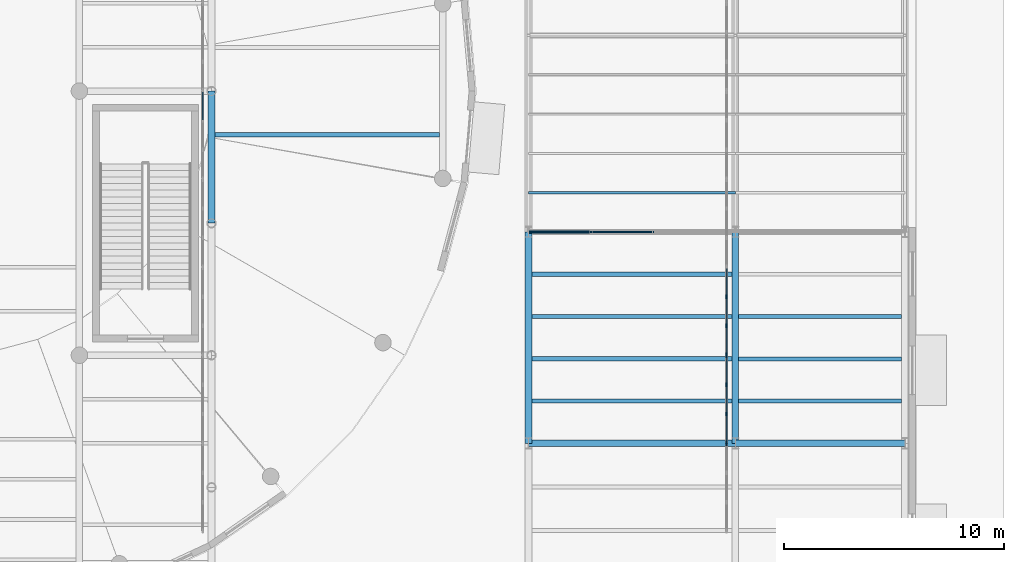
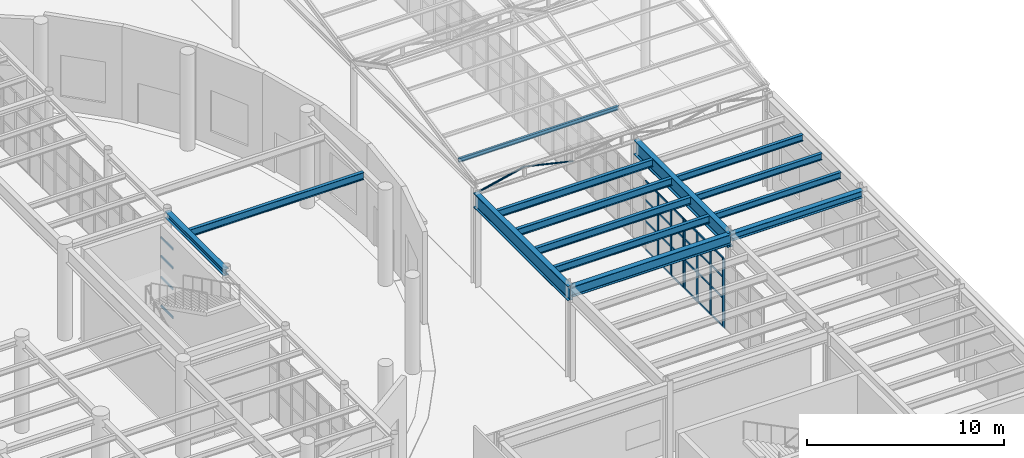
# One storey, part 38 of 118: 39 members, 13 beams, 4 elements without a shape of their own.
"""IFC4 building model written with IfcOpenShell, lengths in metres."""

from ifc_helpers import new_model, si_unit, direction, frame, origin, origin_2d, place, context, subcontext, project, spatial, rectangle, hollow_circle, i_section, extrude, material, material_profile, profile_set, type_object, element, aggregate, save


model = new_model("IFC4")

# Units and contexts
model_context = context("Model", 3, precision=1e-05, world=origin(), true_north=direction((0.0, 1.0)))
body_context = subcontext(model_context, "Body", "Model", "MODEL_VIEW")
ifc_project = project(units=[si_unit("LENGTHUNIT", "METRE"), si_unit("AREAUNIT", "SQUARE_METRE"), si_unit("VOLUMEUNIT", "CUBIC_METRE"), si_unit("PLANEANGLEUNIT", "RADIAN"), si_unit("MASSUNIT", "GRAM", prefix="KILO")], contexts=[model_context])

# Site, building, storey
site_placement = place(None, origin())
site = spatial("IfcSite", under=ifc_project, at=site_placement, CompositionType="ELEMENT")
building_placement = place(site_placement, origin())
building = spatial("IfcBuilding", under=site, at=building_placement, Name="Kolvaren Corner Interchange", CompositionType="ELEMENT")
storey_placement = place(building_placement, origin())
storey = spatial("IfcBuildingStorey", under=building, at=storey_placement, Name="L01", CompositionType="ELEMENT", Elevation=0.0)

# Beams
ifc_material_1 = material(Name="Steel S355", Category="steel")
ifc_material_profile_1 = material_profile(ifc_material_1, i_section(OverallWidth=0.300048828125, OverallDepth=0.389892578125, WebThickness=0.010986328125, FlangeThickness=0.01904296875, FilletRadius=0.027099609375, at=origin_2d()), Name="HEA 400")
ifc_profile_set_1 = profile_set([ifc_material_profile_1], Name="Steel S355")
beam_type_1 = type_object("IfcBeamType", Name="BM-HEA400", PredefinedType="BEAM", material=ifc_profile_set_1)
beam_1_placement = place(storey_placement, frame((132.0, 42.0, 5.554931640625), z_axis=(0.0, 1.0, 0.0), x_axis=(-1.0, 0.0, 0.0)))
element("IfcBeam", 1, at=beam_1_placement, inside=storey, type_object=beam_type_1, Name="Storey L01 Grid Y Primary Girder 0372", PredefinedType="BEAM", context=body_context, shape_type="SweptSolid", body=[
    extrude(i_section(OverallWidth=0.300048828125, OverallDepth=0.389892578125, WebThickness=0.010986328125, FlangeThickness=0.01904296875, FilletRadius=0.027099609375, at=origin_2d()), origin(), (0.0, 0.0, 1.0), 6.0),
])
ifc_material_2 = material(Name="Steel S355", Category="steel")
ifc_material_profile_2 = material_profile(ifc_material_2, i_section(OverallWidth=0.300048828125, OverallDepth=0.43994140625, WebThickness=0.011474609375, FlangeThickness=0.02099609375, FilletRadius=0.027099609375, at=origin_2d()), Name="HEA 450")
ifc_profile_set_2 = profile_set([ifc_material_profile_2], Name="Steel S355")
beam_type_2 = type_object("IfcBeamType", Name="BM-HEA450", PredefinedType="BEAM", material=ifc_profile_set_2)
beam_2_placement = place(storey_placement, frame((155.800048828125, 32.0, 5.52001953125), z_axis=(1.0, 0.0, 0.0), x_axis=(0.0, 1.0, 0.0)))
element("IfcBeam", 2, at=beam_2_placement, inside=storey, type_object=beam_type_2, Name="Storey L01 Grid X Primary Girder 0396", PredefinedType="BEAM", context=body_context, shape_type="SweptSolid", body=[
    extrude(i_section(OverallWidth=0.300048828125, OverallDepth=0.43994140625, WebThickness=0.011474609375, FlangeThickness=0.02099609375, FilletRadius=0.027099609375, at=origin_2d()), origin(), (0.0, 0.0, 1.0), 7.699951171875),
])
ifc_material_3 = material(Name="Steel S355", Category="steel")
ifc_material_profile_3 = material_profile(ifc_material_3, i_section(OverallWidth=0.300048828125, OverallDepth=0.639892578125, WebThickness=0.013427734375, FlangeThickness=0.02587890625, FilletRadius=0.027099609375, at=origin_2d()), Name="HEA 650")
ifc_profile_set_3 = profile_set([ifc_material_profile_3], Name="Steel S355")
beam_type_3 = type_object("IfcBeamType", Name="BM-HEA650", PredefinedType="BEAM", material=ifc_profile_set_3)
beam_3_placement = place(storey_placement, frame((146.39990234375, 32.0, 5.419921875), z_axis=(1.0, 0.0, 0.0), x_axis=(0.0, 1.0, 0.0)))
element("IfcBeam", 3, at=beam_3_placement, inside=storey, type_object=beam_type_3, Name="Storey L01 Grid X Primary Girder 0395", PredefinedType="BEAM", context=body_context, shape_type="SweptSolid", body=[
    extrude(i_section(OverallWidth=0.300048828125, OverallDepth=0.639892578125, WebThickness=0.013427734375, FlangeThickness=0.02587890625, FilletRadius=0.027099609375, at=origin_2d()), origin(), (0.0, 0.0, 1.0), 9.400146484375),
])
ifc_material_4 = material(Name="Steel S355", Category="steel")
ifc_material_profile_4 = material_profile(ifc_material_4, i_section(OverallWidth=0.300048828125, OverallDepth=0.89990234375, WebThickness=0.0185546875, FlangeThickness=0.034912109375, FilletRadius=0.030029296875, at=origin_2d()), Name="HEB 900")
ifc_profile_set_4 = profile_set([ifc_material_profile_4], Name="Steel S355")
beam_type_4 = type_object("IfcBeamType", Name="BM-HEB900", PredefinedType="BEAM", material=ifc_profile_set_4)
for number, where, z_axis, x_axis, name in (
    (4, (146.39990234375, 32.0, 5.2900390625), (0.0, 1.0, 0.0), (-1.0, 0.0, 0.0), "Storey L01 Grid Y Primary Girder 0530"),
    (5, (155.800048828125, 32.0, 5.2900390625), (0.0, 1.0, 0.0), (-1.0, 0.0, 0.0), "Storey L01 Grid Y Primary Girder 0533"),
):
    element("IfcBeam", number, at=place(storey_placement, frame(where, z_axis=z_axis, x_axis=x_axis)), inside=storey, type_object=beam_type_4, Name=name, PredefinedType="BEAM", context=body_context, shape_type="SweptSolid", body=[
        extrude(i_section(OverallWidth=0.300048828125, OverallDepth=0.89990234375, WebThickness=0.0185546875, FlangeThickness=0.034912109375, FilletRadius=0.030029296875, at=origin_2d()), origin(), (0.0, 0.0, 1.0), 9.60009765625),
    ])
ifc_material_5 = material(Name="Steel S355", Category="steel")
ifc_material_profile_5 = material_profile(ifc_material_5, i_section(OverallWidth=0.179931640625, OverallDepth=0.39990234375, WebThickness=0.008544921875, FlangeThickness=0.013427734375, FilletRadius=0.02099609375, at=origin_2d()), Name="IPE 400")
ifc_profile_set_5 = profile_set([ifc_material_profile_5], Name="Steel S355")
beam_type_5 = type_object("IfcBeamType", Name="JS-IPE400", PredefinedType="JOIST", material=ifc_profile_set_5)
for number, where, z_axis, x_axis, name in (
    (6, (155.949951171875, 33.919921875, 5.5400390625), (1.0, 0.0, 0.0), (0.0, 1.0, 0.0), "Storey L01 Composite Floor Joist 0527"),
    (7, (155.949951171875, 35.840087890625, 5.5400390625), (1.0, 0.0, 0.0), (0.0, 1.0, 0.0), "Storey L01 Composite Floor Joist 0528"),
    (8, (155.949951171875, 37.760009765625, 5.5400390625), (1.0, 0.0, 0.0), (0.0, 1.0, 0.0), "Storey L01 Composite Floor Joist 0529"),
):
    element("IfcBeam", number, at=place(storey_placement, frame(where, z_axis=z_axis, x_axis=x_axis)), inside=storey, type_object=beam_type_5, Name=name, PredefinedType="JOIST", context=body_context, shape_type="SweptSolid", body=[
        extrude(i_section(OverallWidth=0.179931640625, OverallDepth=0.39990234375, WebThickness=0.008544921875, FlangeThickness=0.013427734375, FilletRadius=0.02099609375, at=origin_2d()), origin(), (0.0, 0.0, 1.0), 7.400146484375),
    ])
ifc_material_6 = material(Name="Steel S355", Category="steel")
ifc_material_profile_6 = material_profile(ifc_material_6, i_section(OverallWidth=0.18994140625, OverallDepth=0.449951171875, WebThickness=0.009521484375, FlangeThickness=0.0146484375, FilletRadius=0.02099609375, at=origin_2d()), Name="IPE 450")
ifc_profile_set_6 = profile_set([ifc_material_profile_6], Name="Steel S355")
beam_type_6 = type_object("IfcBeamType", Name="JS-IPE450", PredefinedType="JOIST", material=ifc_profile_set_6)
beam_4_placement = place(storey_placement, frame((132.14990234375, 46.01611328125, 5.52490234375), z_axis=(1.0, 0.0, 0.0), x_axis=(0.0, 1.0, 0.0)))
element("IfcBeam", 9, at=beam_4_placement, inside=storey, type_object=beam_type_6, Name="Storey L01 Composite Floor Joist 0386", PredefinedType="JOIST", context=body_context, shape_type="SweptSolid", body=[
    extrude(i_section(OverallWidth=0.18994140625, OverallDepth=0.449951171875, WebThickness=0.009521484375, FlangeThickness=0.0146484375, FilletRadius=0.02099609375, at=origin_2d()), origin(), (0.0, 0.0, 1.0), 10.203125),
])
for number, where, z_axis, x_axis, name in (
    (10, (146.550048828125, 33.919921875, 5.514892578125), (1.0, 0.0, 0.0), (0.0, 1.0, 0.0), "Storey L01 Composite Floor Joist 0515"),
    (11, (146.550048828125, 35.840087890625, 5.514892578125), (1.0, 0.0, 0.0), (0.0, 1.0, 0.0), "Storey L01 Composite Floor Joist 0516"),
    (12, (146.550048828125, 37.760009765625, 5.514892578125), (1.0, 0.0, 0.0), (0.0, 1.0, 0.0), "Storey L01 Composite Floor Joist 0517"),
    (13, (146.550048828125, 39.679931640625, 5.514892578125), (1.0, 0.0, 0.0), (0.0, 1.0, 0.0), "Storey L01 Composite Floor Joist 0518"),
):
    element("IfcBeam", number, at=place(storey_placement, frame(where, z_axis=z_axis, x_axis=x_axis)), inside=storey, type_object=beam_type_6, Name=name, PredefinedType="JOIST", context=body_context, shape_type="SweptSolid", body=[
        extrude(i_section(OverallWidth=0.18994140625, OverallDepth=0.449951171875, WebThickness=0.009521484375, FlangeThickness=0.0146484375, FilletRadius=0.02099609375, at=origin_2d()), origin(), (0.0, 0.0, 1.0), 9.099853515625),
    ])

# Members
ifc_material_7 = material(Name="Steel S355", Category="steel")
ifc_material_profile_7 = material_profile(ifc_material_7, hollow_circle(Radius=0.05712890625, WallThickness=0.00634765625, at=origin_2d()), Name="CHS 114.3x6.3")
ifc_profile_set_7 = profile_set([ifc_material_profile_7], Name="Steel S355")
member_type_1 = type_object("IfcMemberType", Name="MEM-BR-CHS114", PredefinedType="BRACE", material=ifc_profile_set_7)
member_1_placement = place(storey_placement, frame((146.39990234375, 41.60009765625, 5.64990234375), z_axis=(0.973451058965, 0.0, 0.228895250716), x_axis=(0.0, 1.0, 0.0)))
element("IfcMember", 14, at=member_1_placement, inside=storey, type_object=member_type_1, Name="Bus Canopy Sawtooth Roof Truss 01 Web Diagonal 01", PredefinedType="BRACE", context=body_context, shape_type="SweptSolid", body=[
    extrude(hollow_circle(Radius=0.05712890625, WallThickness=0.00634765625, at=origin_2d()), origin(), (0.0, 0.0, 1.0), 2.927734375),
])
ifc_material_8 = material(Name="Steel S355", Category="steel")
ifc_material_profile_8 = material_profile(ifc_material_8, hollow_circle(Radius=0.04443359375, WallThickness=0.0048828125, at=origin_2d()), Name="CHS 88.9x5.0")
ifc_profile_set_8 = profile_set([ifc_material_profile_8], Name="Steel S355")
member_type_2 = type_object("IfcMemberType", Name="MEM-BR-CHS89", PredefinedType="BRACE", material=ifc_profile_set_8)
member_2_placement = place(storey_placement, frame((149.25, 41.60009765625, 6.320068359375), z_axis=(0.973451058965, 0.0, -0.228895250716), x_axis=(0.0, 1.0, 0.0)))
element("IfcMember", 15, at=member_2_placement, inside=storey, type_object=member_type_2, Name="Bus Canopy Sawtooth Roof Truss 01 Web Diagonal 02", PredefinedType="BRACE", context=body_context, shape_type="SweptSolid", body=[
    extrude(hollow_circle(Radius=0.04443359375, WallThickness=0.0048828125, at=origin_2d()), origin(), (0.0, 0.0, 1.0), 2.927734375),
])
ifc_material_9 = material(Name="Steel S355", Category="steel")
ifc_material_profile_9 = material_profile(ifc_material_9, i_section(OverallWidth=0.1201171875, OverallDepth=0.239990234375, WebThickness=0.006103515625, FlangeThickness=0.009765625, FilletRadius=0.014892578125, at=origin_2d()), Name="IPE 240")
ifc_profile_set_9 = profile_set([ifc_material_profile_9], Name="Steel S355")
member_type_3 = type_object("IfcMemberType", Name="MEM-PR-IPE240", PredefinedType="PURLIN", material=ifc_profile_set_9)
member_3_placement = place(storey_placement, frame((146.39990234375, 43.385498046875, 6.6201171875), z_axis=(1.0, 0.0, 0.0), x_axis=(0.0, 1.0, 0.0)))
element("IfcMember", 16, at=member_3_placement, inside=storey, type_object=member_type_3, Name="Bus Canopy Sawtooth Purlin 01 Row 1 Bay 146", PredefinedType="PURLIN", context=body_context, shape_type="SweptSolid", body=[
    extrude(i_section(OverallWidth=0.1201171875, OverallDepth=0.239990234375, WebThickness=0.006103515625, FlangeThickness=0.009765625, FilletRadius=0.014892578125, at=origin_2d()), origin(), (0.0, 0.0, 1.0), 9.400146484375),
])

# Curtain wall, member
ifc_material_10 = material(Name="Unitised Aluminium and Solar-Control Glass Curtain Wall", Category="aluminium")
curtain_wall_type = type_object("IfcCurtainWallType", Name="CW-V4-BOARD", PredefinedType="NOTDEFINED", material=ifc_material_10)
curtain_wall_1_placement = place(storey_placement, origin())
curtain_wall_1 = element("IfcCurtainWall", 17, at=curtain_wall_1_placement, inside=storey, type_object=curtain_wall_type, Name="Bus Island East Boarding Curtain Wall Bay 01", PredefinedType="NOTDEFINED")
ifc_material_11 = material(Name="Anodised Aluminium Framing", Category="aluminium")
ifc_material_profile_10 = material_profile(ifc_material_11, rectangle(XDim=0.06005859375, YDim=0.179931640625, at=origin_2d()), Name="ALU 60x180")
ifc_profile_set_10 = profile_set([ifc_material_profile_10], Name="Anodised Aluminium Framing")
member_type_4 = type_object("IfcMemberType", Name="MUL-ALU60x180", PredefinedType="MULLION", material=ifc_profile_set_10)
member_4_placement = place(storey_placement, frame((155.39990234375, 31.969970703125, 0.0), z_axis=(0.0, 0.0, 1.0), x_axis=(-1.0, 0.0, 0.0)))
member_4 = element("IfcMember", 18, at=member_4_placement, type_object=member_type_4, Name="CW-138 mullion 4", PredefinedType="MULLION", context=body_context, shape_type="SweptSolid", body=[
    extrude(rectangle(XDim=0.06005859375, YDim=0.179931640625, at=origin_2d()), origin(), (0.0, 0.0, 1.0), 4.300048828125),
])
aggregate(curtain_wall_1, [member_4])

# Curtain wall, members
curtain_wall_2_placement = place(storey_placement, origin())
curtain_wall_2 = element("IfcCurtainWall", 19, at=curtain_wall_2_placement, inside=storey, type_object=curtain_wall_type, Name="Bus Island East Boarding Curtain Wall Bay 02", PredefinedType="NOTDEFINED")
member_5_placement = place(storey_placement, frame((155.39990234375, 32.030029296875, 0.0), z_axis=(0.0, 0.0, 1.0), x_axis=(-1.0, 0.0, 0.0)))
member_5 = element("IfcMember", 20, at=member_5_placement, type_object=member_type_4, Name="CW-139 mullion 1", PredefinedType="MULLION", context=body_context, shape_type="SweptSolid", body=[
    extrude(rectangle(XDim=0.06005859375, YDim=0.179931640625, at=origin_2d()), origin(), (0.0, 0.0, 1.0), 4.300048828125),
])
member_6_placement = place(storey_placement, frame((155.39990234375, 33.333251953125, 0.0), z_axis=(0.0, 0.0, 1.0), x_axis=(-1.0, 0.0, 0.0)))
member_6 = element("IfcMember", 21, at=member_6_placement, type_object=member_type_4, Name="CW-139 mullion 2", PredefinedType="MULLION", context=body_context, shape_type="SweptSolid", body=[
    extrude(rectangle(XDim=0.06005859375, YDim=0.179931640625, at=origin_2d()), origin(), (0.0, 0.0, 1.0), 4.300048828125),
])
member_7_placement = place(storey_placement, frame((155.39990234375, 34.666748046875, 0.0), z_axis=(0.0, 0.0, 1.0), x_axis=(-1.0, 0.0, 0.0)))
member_7 = element("IfcMember", 22, at=member_7_placement, type_object=member_type_4, Name="CW-139 mullion 3", PredefinedType="MULLION", context=body_context, shape_type="SweptSolid", body=[
    extrude(rectangle(XDim=0.06005859375, YDim=0.179931640625, at=origin_2d()), origin(), (0.0, 0.0, 1.0), 4.300048828125),
])
member_8_placement = place(storey_placement, frame((155.39990234375, 35.969970703125, 0.0), z_axis=(0.0, 0.0, 1.0), x_axis=(-1.0, 0.0, 0.0)))
member_8 = element("IfcMember", 23, at=member_8_placement, type_object=member_type_4, Name="CW-139 mullion 4", PredefinedType="MULLION", context=body_context, shape_type="SweptSolid", body=[
    extrude(rectangle(XDim=0.06005859375, YDim=0.179931640625, at=origin_2d()), origin(), (0.0, 0.0, 1.0), 4.300048828125),
])

curtain_wall_3_placement = place(storey_placement, origin())
curtain_wall_3 = element("IfcCurtainWall", 24, at=curtain_wall_3_placement, inside=storey, type_object=curtain_wall_type, Name="Bus Island East Boarding Curtain Wall Bay 03", PredefinedType="NOTDEFINED")
member_9_placement = place(storey_placement, frame((155.39990234375, 36.030029296875, 0.0), z_axis=(0.0, 0.0, 1.0), x_axis=(-1.0, 0.0, 0.0)))
member_9 = element("IfcMember", 25, at=member_9_placement, type_object=member_type_4, Name="CW-140 mullion 1", PredefinedType="MULLION", context=body_context, shape_type="SweptSolid", body=[
    extrude(rectangle(XDim=0.06005859375, YDim=0.179931640625, at=origin_2d()), origin(), (0.0, 0.0, 1.0), 4.300048828125),
])
member_10_placement = place(storey_placement, frame((155.39990234375, 37.333251953125, 0.0), z_axis=(0.0, 0.0, 1.0), x_axis=(-1.0, 0.0, 0.0)))
member_10 = element("IfcMember", 26, at=member_10_placement, type_object=member_type_4, Name="CW-140 mullion 2", PredefinedType="MULLION", context=body_context, shape_type="SweptSolid", body=[
    extrude(rectangle(XDim=0.06005859375, YDim=0.179931640625, at=origin_2d()), origin(), (0.0, 0.0, 1.0), 4.300048828125),
])
member_11_placement = place(storey_placement, frame((155.39990234375, 38.666748046875, 0.0), z_axis=(0.0, 0.0, 1.0), x_axis=(-1.0, 0.0, 0.0)))
member_11 = element("IfcMember", 27, at=member_11_placement, type_object=member_type_4, Name="CW-140 mullion 3", PredefinedType="MULLION", context=body_context, shape_type="SweptSolid", body=[
    extrude(rectangle(XDim=0.06005859375, YDim=0.179931640625, at=origin_2d()), origin(), (0.0, 0.0, 1.0), 4.300048828125),
])

curtain_wall_4_placement = place(storey_placement, origin())
curtain_wall_4 = element("IfcCurtainWall", 28, at=curtain_wall_4_placement, inside=storey, type_object=curtain_wall_type, Name="Bus Island West Boarding Curtain Wall Bay 05", PredefinedType="NOTDEFINED")
ifc_material_12 = material(Name="Anodised Aluminium Framing", Category="aluminium")
ifc_material_profile_11 = material_profile(ifc_material_12, rectangle(XDim=0.054931640625, YDim=0.1201171875, at=origin_2d()), Name="ALU 55x120")
ifc_profile_set_11 = profile_set([ifc_material_profile_11], Name="Anodised Aluminium Framing")
member_type_5 = type_object("IfcMemberType", Name="TRN-ALU55x120", PredefinedType="USERDEFINED", material=ifc_profile_set_11)
member_12_placement = place(storey_placement, frame((131.60009765625, 46.69677734375, 0.027587890625), z_axis=(0.0, 1.0, 0.0), x_axis=(-1.0, 0.0, 0.0)))
member_12 = element("IfcMember", 29, at=member_12_placement, type_object=member_type_5, Name="CW-130 transom 3.1", ObjectType="TRANSOM", PredefinedType="USERDEFINED", context=body_context, shape_type="SweptSolid", body=[
    extrude(rectangle(XDim=0.054931640625, YDim=0.1201171875, at=origin_2d()), origin(), (0.0, 0.0, 1.0), 1.2431640625),
])
member_13_placement = place(storey_placement, frame((131.60009765625, 46.69677734375, 1.800048828125), z_axis=(0.0, 1.0, 0.0), x_axis=(-1.0, 0.0, 0.0)))
member_13 = element("IfcMember", 30, at=member_13_placement, type_object=member_type_5, Name="CW-130 transom 3.2", ObjectType="TRANSOM", PredefinedType="USERDEFINED", context=body_context, shape_type="SweptSolid", body=[
    extrude(rectangle(XDim=0.054931640625, YDim=0.1201171875, at=origin_2d()), origin(), (0.0, 0.0, 1.0), 1.2431640625),
])
member_14_placement = place(storey_placement, frame((131.60009765625, 46.69677734375, 3.10009765625), z_axis=(0.0, 1.0, 0.0), x_axis=(-1.0, 0.0, 0.0)))
member_14 = element("IfcMember", 31, at=member_14_placement, type_object=member_type_5, Name="CW-130 transom 3.3", ObjectType="TRANSOM", PredefinedType="USERDEFINED", context=body_context, shape_type="SweptSolid", body=[
    extrude(rectangle(XDim=0.054931640625, YDim=0.1201171875, at=origin_2d()), origin(), (0.0, 0.0, 1.0), 1.2431640625),
])
member_15_placement = place(storey_placement, frame((131.60009765625, 46.69677734375, 4.2724609375), z_axis=(0.0, 1.0, 0.0), x_axis=(-1.0, 0.0, 0.0)))
member_15 = element("IfcMember", 32, at=member_15_placement, type_object=member_type_5, Name="CW-130 transom 3.4", ObjectType="TRANSOM", PredefinedType="USERDEFINED", context=body_context, shape_type="SweptSolid", body=[
    extrude(rectangle(XDim=0.054931640625, YDim=0.1201171875, at=origin_2d()), origin(), (0.0, 0.0, 1.0), 1.2431640625),
])
aggregate(curtain_wall_4, [member_12, member_13, member_14, member_15])

# Member
member_16_placement = place(storey_placement, frame((155.39990234375, 32.06005859375, 0.027587890625), z_axis=(0.0, 1.0, 0.0), x_axis=(-1.0, 0.0, 0.0)))
member_16 = element("IfcMember", 33, at=member_16_placement, type_object=member_type_5, Name="CW-139 transom 1.1", ObjectType="TRANSOM", PredefinedType="USERDEFINED", context=body_context, shape_type="SweptSolid", body=[
    extrude(rectangle(XDim=0.054931640625, YDim=0.1201171875, at=origin_2d()), origin(), (0.0, 0.0, 1.0), 1.2431640625),
])

member_17_placement = place(storey_placement, frame((155.39990234375, 32.06005859375, 1.800048828125), z_axis=(0.0, 1.0, 0.0), x_axis=(-1.0, 0.0, 0.0)))
member_17 = element("IfcMember", 34, at=member_17_placement, type_object=member_type_5, Name="CW-139 transom 1.2", ObjectType="TRANSOM", PredefinedType="USERDEFINED", context=body_context, shape_type="SweptSolid", body=[
    extrude(rectangle(XDim=0.054931640625, YDim=0.1201171875, at=origin_2d()), origin(), (0.0, 0.0, 1.0), 1.2431640625),
])

member_18_placement = place(storey_placement, frame((155.39990234375, 32.06005859375, 3.10009765625), z_axis=(0.0, 1.0, 0.0), x_axis=(-1.0, 0.0, 0.0)))
member_18 = element("IfcMember", 35, at=member_18_placement, type_object=member_type_5, Name="CW-139 transom 1.3", ObjectType="TRANSOM", PredefinedType="USERDEFINED", context=body_context, shape_type="SweptSolid", body=[
    extrude(rectangle(XDim=0.054931640625, YDim=0.1201171875, at=origin_2d()), origin(), (0.0, 0.0, 1.0), 1.2431640625),
])

member_19_placement = place(storey_placement, frame((155.39990234375, 32.06005859375, 4.2724609375), z_axis=(0.0, 1.0, 0.0), x_axis=(-1.0, 0.0, 0.0)))
member_19 = element("IfcMember", 36, at=member_19_placement, type_object=member_type_5, Name="CW-139 transom 1.4", ObjectType="TRANSOM", PredefinedType="USERDEFINED", context=body_context, shape_type="SweptSolid", body=[
    extrude(rectangle(XDim=0.054931640625, YDim=0.1201171875, at=origin_2d()), origin(), (0.0, 0.0, 1.0), 1.2431640625),
])

member_20_placement = place(storey_placement, frame((155.39990234375, 33.36328125, 0.027587890625), z_axis=(0.0, 1.0, 0.0), x_axis=(-1.0, 0.0, 0.0)))
member_20 = element("IfcMember", 37, at=member_20_placement, type_object=member_type_5, Name="CW-139 transom 2.1", ObjectType="TRANSOM", PredefinedType="USERDEFINED", context=body_context, shape_type="SweptSolid", body=[
    extrude(rectangle(XDim=0.054931640625, YDim=0.1201171875, at=origin_2d()), origin(), (0.0, 0.0, 1.0), 1.2734375),
])

member_21_placement = place(storey_placement, frame((155.39990234375, 33.36328125, 1.800048828125), z_axis=(0.0, 1.0, 0.0), x_axis=(-1.0, 0.0, 0.0)))
member_21 = element("IfcMember", 38, at=member_21_placement, type_object=member_type_5, Name="CW-139 transom 2.2", ObjectType="TRANSOM", PredefinedType="USERDEFINED", context=body_context, shape_type="SweptSolid", body=[
    extrude(rectangle(XDim=0.054931640625, YDim=0.1201171875, at=origin_2d()), origin(), (0.0, 0.0, 1.0), 1.2734375),
])

member_22_placement = place(storey_placement, frame((155.39990234375, 33.36328125, 3.10009765625), z_axis=(0.0, 1.0, 0.0), x_axis=(-1.0, 0.0, 0.0)))
member_22 = element("IfcMember", 39, at=member_22_placement, type_object=member_type_5, Name="CW-139 transom 2.3", ObjectType="TRANSOM", PredefinedType="USERDEFINED", context=body_context, shape_type="SweptSolid", body=[
    extrude(rectangle(XDim=0.054931640625, YDim=0.1201171875, at=origin_2d()), origin(), (0.0, 0.0, 1.0), 1.2734375),
])

member_23_placement = place(storey_placement, frame((155.39990234375, 33.36328125, 4.2724609375), z_axis=(0.0, 1.0, 0.0), x_axis=(-1.0, 0.0, 0.0)))
member_23 = element("IfcMember", 40, at=member_23_placement, type_object=member_type_5, Name="CW-139 transom 2.4", ObjectType="TRANSOM", PredefinedType="USERDEFINED", context=body_context, shape_type="SweptSolid", body=[
    extrude(rectangle(XDim=0.054931640625, YDim=0.1201171875, at=origin_2d()), origin(), (0.0, 0.0, 1.0), 1.2734375),
])

member_24_placement = place(storey_placement, frame((155.39990234375, 34.69677734375, 0.027587890625), z_axis=(0.0, 1.0, 0.0), x_axis=(-1.0, 0.0, 0.0)))
member_24 = element("IfcMember", 41, at=member_24_placement, type_object=member_type_5, Name="CW-139 transom 3.1", ObjectType="TRANSOM", PredefinedType="USERDEFINED", context=body_context, shape_type="SweptSolid", body=[
    extrude(rectangle(XDim=0.054931640625, YDim=0.1201171875, at=origin_2d()), origin(), (0.0, 0.0, 1.0), 1.2431640625),
])

member_25_placement = place(storey_placement, frame((155.39990234375, 34.69677734375, 1.800048828125), z_axis=(0.0, 1.0, 0.0), x_axis=(-1.0, 0.0, 0.0)))
member_25 = element("IfcMember", 42, at=member_25_placement, type_object=member_type_5, Name="CW-139 transom 3.2", ObjectType="TRANSOM", PredefinedType="USERDEFINED", context=body_context, shape_type="SweptSolid", body=[
    extrude(rectangle(XDim=0.054931640625, YDim=0.1201171875, at=origin_2d()), origin(), (0.0, 0.0, 1.0), 1.2431640625),
])

member_26_placement = place(storey_placement, frame((155.39990234375, 34.69677734375, 3.10009765625), z_axis=(0.0, 1.0, 0.0), x_axis=(-1.0, 0.0, 0.0)))
member_26 = element("IfcMember", 43, at=member_26_placement, type_object=member_type_5, Name="CW-139 transom 3.3", ObjectType="TRANSOM", PredefinedType="USERDEFINED", context=body_context, shape_type="SweptSolid", body=[
    extrude(rectangle(XDim=0.054931640625, YDim=0.1201171875, at=origin_2d()), origin(), (0.0, 0.0, 1.0), 1.2431640625),
])

member_27_placement = place(storey_placement, frame((155.39990234375, 34.69677734375, 4.2724609375), z_axis=(0.0, 1.0, 0.0), x_axis=(-1.0, 0.0, 0.0)))
member_27 = element("IfcMember", 44, at=member_27_placement, type_object=member_type_5, Name="CW-139 transom 3.4", ObjectType="TRANSOM", PredefinedType="USERDEFINED", context=body_context, shape_type="SweptSolid", body=[
    extrude(rectangle(XDim=0.054931640625, YDim=0.1201171875, at=origin_2d()), origin(), (0.0, 0.0, 1.0), 1.2431640625),
])

aggregate(curtain_wall_2, [member_5, member_6, member_7, member_8, member_16, member_17, member_18, member_19, member_20, member_21, member_22, member_23, member_24, member_25, member_26, member_27])

member_28_placement = place(storey_placement, frame((155.39990234375, 36.06005859375, 0.027587890625), z_axis=(0.0, 1.0, 0.0), x_axis=(-1.0, 0.0, 0.0)))
member_28 = element("IfcMember", 45, at=member_28_placement, type_object=member_type_5, Name="CW-140 transom 1.1", ObjectType="TRANSOM", PredefinedType="USERDEFINED", context=body_context, shape_type="SweptSolid", body=[
    extrude(rectangle(XDim=0.054931640625, YDim=0.1201171875, at=origin_2d()), origin(), (0.0, 0.0, 1.0), 1.2431640625),
])

member_29_placement = place(storey_placement, frame((155.39990234375, 36.06005859375, 1.800048828125), z_axis=(0.0, 1.0, 0.0), x_axis=(-1.0, 0.0, 0.0)))
member_29 = element("IfcMember", 46, at=member_29_placement, type_object=member_type_5, Name="CW-140 transom 1.2", ObjectType="TRANSOM", PredefinedType="USERDEFINED", context=body_context, shape_type="SweptSolid", body=[
    extrude(rectangle(XDim=0.054931640625, YDim=0.1201171875, at=origin_2d()), origin(), (0.0, 0.0, 1.0), 1.2431640625),
])

member_30_placement = place(storey_placement, frame((155.39990234375, 36.06005859375, 3.10009765625), z_axis=(0.0, 1.0, 0.0), x_axis=(-1.0, 0.0, 0.0)))
member_30 = element("IfcMember", 47, at=member_30_placement, type_object=member_type_5, Name="CW-140 transom 1.3", ObjectType="TRANSOM", PredefinedType="USERDEFINED", context=body_context, shape_type="SweptSolid", body=[
    extrude(rectangle(XDim=0.054931640625, YDim=0.1201171875, at=origin_2d()), origin(), (0.0, 0.0, 1.0), 1.2431640625),
])

member_31_placement = place(storey_placement, frame((155.39990234375, 36.06005859375, 4.2724609375), z_axis=(0.0, 1.0, 0.0), x_axis=(-1.0, 0.0, 0.0)))
member_31 = element("IfcMember", 48, at=member_31_placement, type_object=member_type_5, Name="CW-140 transom 1.4", ObjectType="TRANSOM", PredefinedType="USERDEFINED", context=body_context, shape_type="SweptSolid", body=[
    extrude(rectangle(XDim=0.054931640625, YDim=0.1201171875, at=origin_2d()), origin(), (0.0, 0.0, 1.0), 1.2431640625),
])

member_32_placement = place(storey_placement, frame((155.39990234375, 37.36328125, 0.027587890625), z_axis=(0.0, 1.0, 0.0), x_axis=(-1.0, 0.0, 0.0)))
member_32 = element("IfcMember", 49, at=member_32_placement, type_object=member_type_5, Name="CW-140 transom 2.1", ObjectType="TRANSOM", PredefinedType="USERDEFINED", context=body_context, shape_type="SweptSolid", body=[
    extrude(rectangle(XDim=0.054931640625, YDim=0.1201171875, at=origin_2d()), origin(), (0.0, 0.0, 1.0), 1.2734375),
])

member_33_placement = place(storey_placement, frame((155.39990234375, 37.36328125, 1.800048828125), z_axis=(0.0, 1.0, 0.0), x_axis=(-1.0, 0.0, 0.0)))
member_33 = element("IfcMember", 50, at=member_33_placement, type_object=member_type_5, Name="CW-140 transom 2.2", ObjectType="TRANSOM", PredefinedType="USERDEFINED", context=body_context, shape_type="SweptSolid", body=[
    extrude(rectangle(XDim=0.054931640625, YDim=0.1201171875, at=origin_2d()), origin(), (0.0, 0.0, 1.0), 1.2734375),
])

member_34_placement = place(storey_placement, frame((155.39990234375, 37.36328125, 3.10009765625), z_axis=(0.0, 1.0, 0.0), x_axis=(-1.0, 0.0, 0.0)))
member_34 = element("IfcMember", 51, at=member_34_placement, type_object=member_type_5, Name="CW-140 transom 2.3", ObjectType="TRANSOM", PredefinedType="USERDEFINED", context=body_context, shape_type="SweptSolid", body=[
    extrude(rectangle(XDim=0.054931640625, YDim=0.1201171875, at=origin_2d()), origin(), (0.0, 0.0, 1.0), 1.2734375),
])

member_35_placement = place(storey_placement, frame((155.39990234375, 37.36328125, 4.2724609375), z_axis=(0.0, 1.0, 0.0), x_axis=(-1.0, 0.0, 0.0)))
member_35 = element("IfcMember", 52, at=member_35_placement, type_object=member_type_5, Name="CW-140 transom 2.4", ObjectType="TRANSOM", PredefinedType="USERDEFINED", context=body_context, shape_type="SweptSolid", body=[
    extrude(rectangle(XDim=0.054931640625, YDim=0.1201171875, at=origin_2d()), origin(), (0.0, 0.0, 1.0), 1.2734375),
])

member_36_placement = place(storey_placement, frame((155.39990234375, 38.69677734375, 0.027587890625), z_axis=(0.0, 1.0, 0.0), x_axis=(-1.0, 0.0, 0.0)))
member_36 = element("IfcMember", 53, at=member_36_placement, type_object=member_type_5, Name="CW-140 transom 3.1", ObjectType="TRANSOM", PredefinedType="USERDEFINED", context=body_context, shape_type="SweptSolid", body=[
    extrude(rectangle(XDim=0.054931640625, YDim=0.1201171875, at=origin_2d()), origin(), (0.0, 0.0, 1.0), 1.2431640625),
])

member_37_placement = place(storey_placement, frame((155.39990234375, 38.69677734375, 1.800048828125), z_axis=(0.0, 1.0, 0.0), x_axis=(-1.0, 0.0, 0.0)))
member_37 = element("IfcMember", 54, at=member_37_placement, type_object=member_type_5, Name="CW-140 transom 3.2", ObjectType="TRANSOM", PredefinedType="USERDEFINED", context=body_context, shape_type="SweptSolid", body=[
    extrude(rectangle(XDim=0.054931640625, YDim=0.1201171875, at=origin_2d()), origin(), (0.0, 0.0, 1.0), 1.2431640625),
])

member_38_placement = place(storey_placement, frame((155.39990234375, 38.69677734375, 3.10009765625), z_axis=(0.0, 1.0, 0.0), x_axis=(-1.0, 0.0, 0.0)))
member_38 = element("IfcMember", 55, at=member_38_placement, type_object=member_type_5, Name="CW-140 transom 3.3", ObjectType="TRANSOM", PredefinedType="USERDEFINED", context=body_context, shape_type="SweptSolid", body=[
    extrude(rectangle(XDim=0.054931640625, YDim=0.1201171875, at=origin_2d()), origin(), (0.0, 0.0, 1.0), 1.2431640625),
])

member_39_placement = place(storey_placement, frame((155.39990234375, 38.69677734375, 4.2724609375), z_axis=(0.0, 1.0, 0.0), x_axis=(-1.0, 0.0, 0.0)))
member_39 = element("IfcMember", 56, at=member_39_placement, type_object=member_type_5, Name="CW-140 transom 3.4", ObjectType="TRANSOM", PredefinedType="USERDEFINED", context=body_context, shape_type="SweptSolid", body=[
    extrude(rectangle(XDim=0.054931640625, YDim=0.1201171875, at=origin_2d()), origin(), (0.0, 0.0, 1.0), 1.2431640625),
])

aggregate(curtain_wall_3, [member_9, member_10, member_11, member_28, member_29, member_30, member_31, member_32, member_33, member_34, member_35, member_36, member_37, member_38, member_39])

save(model, "model.ifc")
